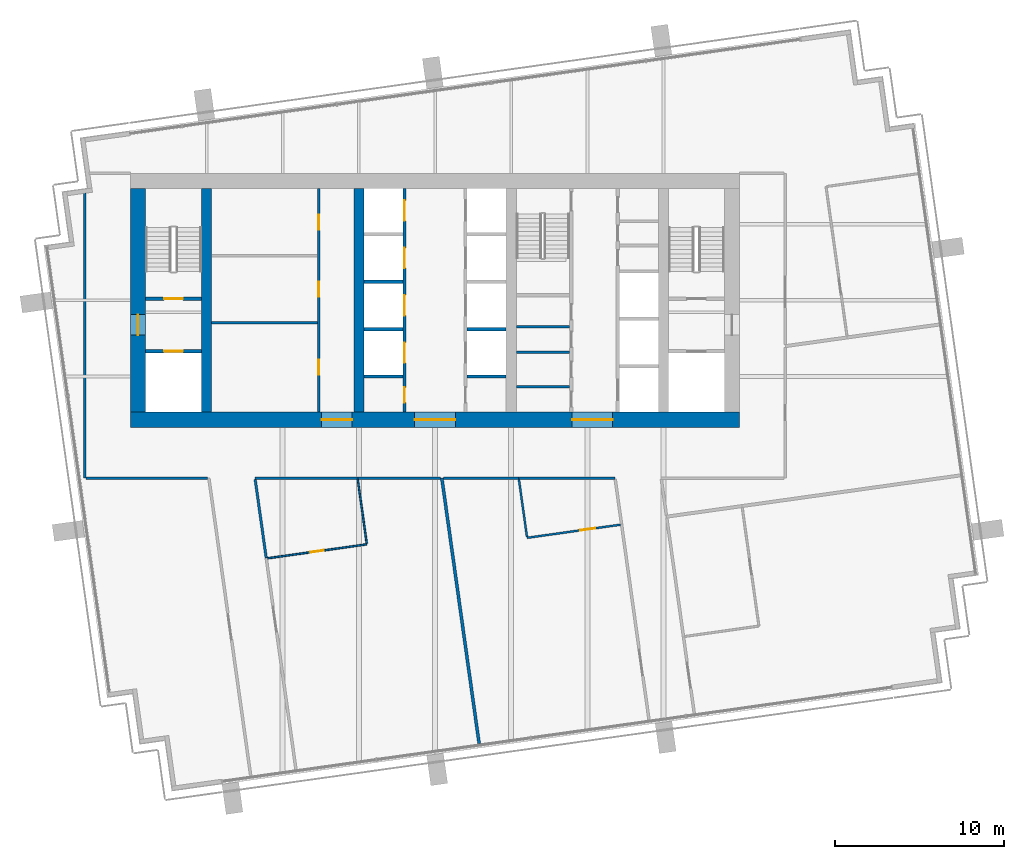
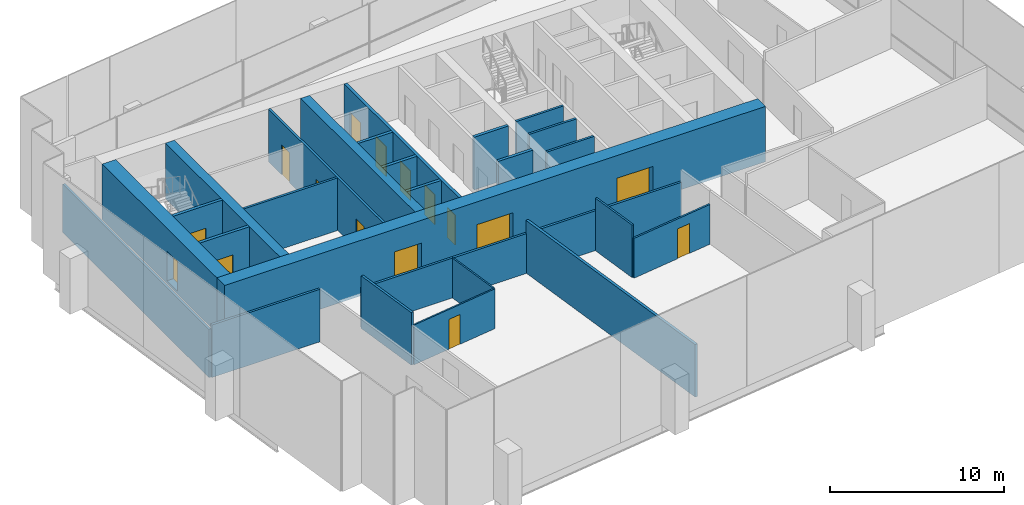
# One storey, part 9 of 17: 29 walls, 16 doors, 16 openings.
"""IFC4 building model written with IfcOpenShell, lengths in metres."""

from ifc_helpers import new_model, si_unit, direction, frame, frame_2d, origin, place, context, subcontext, project, spatial, rectangle, extrude, material, layer, layer_set, type_object, element, fill, save


model = new_model("IFC4")

# Units and contexts
model_context = context("Model", 3, precision=1e-05, world=origin(), true_north=direction((0.0, 1.0)))
body_context = subcontext(model_context, "Body", "Model", "MODEL_VIEW")
ifc_project = project(units=[si_unit("LENGTHUNIT", "METRE"), si_unit("AREAUNIT", "SQUARE_METRE"), si_unit("VOLUMEUNIT", "CUBIC_METRE"), si_unit("PLANEANGLEUNIT", "RADIAN"), si_unit("MASSUNIT", "GRAM", prefix="KILO")], contexts=[model_context])

# Site, building, storey
site_placement = place(None, origin())
site = spatial("IfcSite", under=ifc_project, at=site_placement, CompositionType="ELEMENT")
building_placement = place(site_placement, origin())
building = spatial("IfcBuilding", under=site, at=building_placement, Name="Rattan Terrace Tower", CompositionType="ELEMENT")
storey_placement = place(building_placement, frame((0.0, 0.0, 236.89990234375)))
storey = spatial("IfcBuildingStorey", under=building, at=storey_placement, Name="L54", CompositionType="ELEMENT", Elevation=236.89990234375)

# Wall, openings, doors
ifc_material_1 = material(Name="Gypsum board partition")
ifc_layer_1 = layer(ifc_material_1, 0.14990234375)
ifc_layer_set_1 = layer_set([ifc_layer_1], Name="Core partition 150")
wall_type_1 = type_object("IfcWallType", Name="Core partition 150", PredefinedType="PARTITIONING", material=ifc_layer_set_1)
wall_1_placement = place(storey_placement, frame((-6.875, -6.60009765625, 0.0), z_axis=(0.0, 0.0, 1.0), x_axis=(0.0, 1.0, 0.0)))
wall_1 = element("IfcWall", 1, at=wall_1_placement, inside=storey, type_object=wall_type_1, Name="Core room wall", PredefinedType="PARTITIONING", context=body_context, shape_type="SweptSolid", body=[
    extrude(rectangle(XDim=13.2001953125, YDim=0.14990234375, at=frame_2d((6.60009765625, 0.0))), origin(), (0.0, 0.0, 1.0), 3.7001953125),
])
opening_1_placement = place(wall_1_placement, frame((2.18994140625, 0.0, 0.0)))
opening_1 = element("IfcOpeningElement", 2, at=opening_1_placement, cuts=wall_1, Name="Opening L54-D005", PredefinedType="OPENING", context=body_context, shape_type="SweptSolid", body=[
    extrude(rectangle(XDim=0.89990234375, YDim=2.10009765625, at=frame_2d((0.449951171875, 1.050048828125))), frame((0.0, 0.08544921875, 0.0), z_axis=(0.0, -1.0, 0.0), x_axis=(1.0, 0.0, 0.0)), (0.0, 0.0, 1.0), 0.1708984375),
])
opening_2_placement = place(wall_1_placement, frame((6.81005859375, 0.0, 0.0)))
opening_2 = element("IfcOpeningElement", 3, at=opening_2_placement, cuts=wall_1, Name="Opening L54-D006", PredefinedType="OPENING", context=body_context, shape_type="SweptSolid", body=[
    extrude(rectangle(XDim=0.89990234375, YDim=2.10009765625, at=frame_2d((0.449951171875, 1.050048828125))), frame((0.0, 0.08544921875, 0.0), z_axis=(0.0, -1.0, 0.0), x_axis=(1.0, 0.0, 0.0)), (0.0, 0.0, 1.0), 0.1708984375),
])
opening_3_placement = place(wall_1_placement, frame((10.77001953125, 0.0, 0.0)))
opening_3 = element("IfcOpeningElement", 4, at=opening_3_placement, cuts=wall_1, Name="Opening L54-D007", PredefinedType="OPENING", context=body_context, shape_type="SweptSolid", body=[
    extrude(rectangle(XDim=0.89990234375, YDim=2.10009765625, at=frame_2d((0.449951171875, 1.050048828125))), frame((0.0, 0.08544921875, 0.0), z_axis=(0.0, -1.0, 0.0), x_axis=(1.0, 0.0, 0.0)), (0.0, 0.0, 1.0), 0.1708984375),
])
ifc_material_2 = material(Name="Hollow-metal fire door leaf")
door_type_1 = type_object("IfcDoorType", Name="Core service room door 900", OperationType="NOTDEFINED", PredefinedType="DOOR", material=ifc_material_2)
door_1_placement = place(opening_1_placement, origin())
door_1 = element("IfcDoor", 5, at=door_1_placement, inside=storey, type_object=door_type_1, Name="Door L54-D005", OperationType="SINGLE_SWING_RIGHT", OverallHeight=2.10009765625, OverallWidth=0.89990234375, PredefinedType="DOOR", context=body_context, shape_type="SweptSolid", body=[
    extrude(rectangle(XDim=0.89990234375, YDim=2.10009765625, at=frame_2d((0.449951171875, 1.050048828125))), frame((0.0, 0.02490234375, 0.0), z_axis=(0.0, -1.0, 0.0), x_axis=(1.0, 0.0, 0.0)), (0.0, 0.0, 1.0), 0.050048828125),
])
fill(opening_1, door_1)
door_2_placement = place(opening_2_placement, origin())
door_2 = element("IfcDoor", 6, at=door_2_placement, inside=storey, type_object=door_type_1, Name="Door L54-D006", OperationType="SINGLE_SWING_LEFT", OverallHeight=2.10009765625, OverallWidth=0.89990234375, PredefinedType="DOOR", context=body_context, shape_type="SweptSolid", body=[
    extrude(rectangle(XDim=0.89990234375, YDim=2.10009765625, at=frame_2d((0.449951171875, 1.050048828125))), frame((0.0, 0.02490234375, 0.0), z_axis=(0.0, -1.0, 0.0), x_axis=(1.0, 0.0, 0.0)), (0.0, 0.0, 1.0), 0.050048828125),
])
fill(opening_2, door_2)
door_3_placement = place(opening_3_placement, origin())
door_3 = element("IfcDoor", 7, at=door_3_placement, inside=storey, type_object=door_type_1, Name="Door L54-D007", OperationType="SINGLE_SWING_RIGHT", OverallHeight=2.10009765625, OverallWidth=0.89990234375, PredefinedType="DOOR", context=body_context, shape_type="SweptSolid", body=[
    extrude(rectangle(XDim=0.89990234375, YDim=2.10009765625, at=frame_2d((0.449951171875, 1.050048828125))), frame((0.0, 0.02490234375, 0.0), z_axis=(0.0, -1.0, 0.0), x_axis=(1.0, 0.0, 0.0)), (0.0, 0.0, 1.0), 0.050048828125),
])
fill(opening_3, door_3)

# Walls
wall_2_placement = place(storey_placement, frame((-13.199951171875, -1.320068359375, 0.0), z_axis=(0.0, 0.0, 1.0), x_axis=(1.0, 0.0, 0.0)))
element("IfcWall", 8, at=wall_2_placement, inside=storey, type_object=wall_type_1, Name="Core room wall", PredefinedType="PARTITIONING", context=body_context, shape_type="SweptSolid", body=[
    extrude(rectangle(XDim=6.25, YDim=0.14990234375, at=frame_2d((3.125, 0.0))), origin(), (0.0, 0.0, 1.0), 3.7001953125),
])
for number, where, z_axis, x_axis, name in (
    (9, (4.800048828125, -5.10400390625, 0.0), (0.0, 0.0, 1.0), (1.0, 0.0, 0.0), "Toilet wall"),
    (10, (4.800048828125, -3.06396484375, 0.0), (0.0, 0.0, 1.0), (1.0, 0.0, 0.0), "Toilet wall"),
    (11, (4.800048828125, -1.568115234375, 0.0), (0.0, 0.0, 1.0), (1.0, 0.0, 0.0), "Toilet wall"),
):
    element("IfcWall", number, at=place(storey_placement, frame(where, z_axis=z_axis, x_axis=x_axis)), inside=storey, type_object=wall_type_1, Name=name, PredefinedType="PARTITIONING", context=body_context, shape_type="SweptSolid", body=[
        extrude(rectangle(XDim=3.14990234375, YDim=0.14990234375, at=frame_2d((1.574951171875, 0.0))), origin(), (0.0, 0.0, 1.0), 3.7001953125),
    ])

# Wall, opening, door
ifc_material_3 = material(Name="Gypsum board partition")
ifc_layer_2 = layer(ifc_material_3, 0.199951171875)
ifc_layer_set_2 = layer_set([ifc_layer_2], Name="Core partition 200")
wall_type_2 = type_object("IfcWallType", Name="Core partition 200", PredefinedType="PARTITIONING", material=ifc_layer_set_2)
wall_3_placement = place(storey_placement, frame((-17.10009765625, -3.0, 0.0), z_axis=(0.0, 0.0, 1.0), x_axis=(1.0, 0.0, 0.0)))
wall_3 = element("IfcWall", 12, at=wall_3_placement, inside=storey, type_object=wall_type_2, Name="Fire-fighting lobby wall", PredefinedType="PARTITIONING", context=body_context, shape_type="SweptSolid", body=[
    extrude(rectangle(XDim=3.300048828125, YDim=0.199951171875, at=frame_2d((1.64990234375, 0.0))), origin(), (0.0, 0.0, 1.0), 3.7001953125),
])
opening_4_placement = place(wall_3_placement, frame((1.10009765625, 0.0, 0.0)))
opening_4 = element("IfcOpeningElement", 13, at=opening_4_placement, cuts=wall_3, Name="Opening L54-LD-FF1", PredefinedType="OPENING", context=body_context, shape_type="SweptSolid", body=[
    extrude(rectangle(XDim=1.10009765625, YDim=2.10009765625, at=frame_2d((0.550048828125, 1.050048828125))), frame((0.0, 0.110595703125, 0.0), z_axis=(0.0, -1.0, 0.0), x_axis=(1.0, 0.0, 0.0)), (0.0, 0.0, 1.0), 0.220947265625),
])
ifc_material_4 = material(Name="Brushed stainless landing door panel")
door_type_2 = type_object("IfcDoorType", Name="Core lift landing door 1100", OperationType="DOUBLE_DOOR_SLIDING", PredefinedType="DOOR", material=ifc_material_4)
door_4_placement = place(opening_4_placement, origin())
door_4 = element("IfcDoor", 14, at=door_4_placement, inside=storey, type_object=door_type_2, Name="Door L54-LD-FF1", OperationType="DOUBLE_DOOR_SLIDING", OverallHeight=2.10009765625, OverallWidth=1.10009765625, PredefinedType="DOOR", context=body_context, shape_type="SweptSolid", body=[
    extrude(rectangle(XDim=1.10009765625, YDim=2.10009765625, at=frame_2d((0.550048828125, 1.050048828125))), frame((0.0, 0.02490234375, 0.0), z_axis=(0.0, -1.0, 0.0), x_axis=(1.0, 0.0, 0.0)), (0.0, 0.0, 1.0), 0.050048828125),
])
fill(opening_4, door_4)

wall_4_placement = place(storey_placement, frame((-17.10009765625, 0.10009765625, 0.0), z_axis=(0.0, 0.0, 1.0), x_axis=(1.0, 0.0, 0.0)))
wall_4 = element("IfcWall", 15, at=wall_4_placement, inside=storey, type_object=wall_type_2, Name="Stair enclosure wall", PredefinedType="PARTITIONING", context=body_context, shape_type="SweptSolid", body=[
    extrude(rectangle(XDim=3.300048828125, YDim=0.199951171875, at=frame_2d((1.64990234375, 0.0))), origin(), (0.0, 0.0, 1.0), 3.7001953125),
])
opening_5_placement = place(wall_4_placement, frame((1.10009765625, 0.0, 0.0)))
opening_5 = element("IfcOpeningElement", 16, at=opening_5_placement, cuts=wall_4, Name="Opening L54-D002", PredefinedType="OPENING", context=body_context, shape_type="SweptSolid", body=[
    extrude(rectangle(XDim=1.10009765625, YDim=2.10009765625, at=frame_2d((0.550048828125, 1.050048828125))), frame((0.0, 0.110595703125, 0.0), z_axis=(0.0, -1.0, 0.0), x_axis=(1.0, 0.0, 0.0)), (0.0, 0.0, 1.0), 0.220947265625),
])
ifc_material_5 = material(Name="Hollow-metal fire door leaf")
door_type_3 = type_object("IfcDoorType", Name="Core stair door 1100", OperationType="NOTDEFINED", PredefinedType="DOOR", material=ifc_material_5)
door_5_placement = place(opening_5_placement, origin())
door_5 = element("IfcDoor", 17, at=door_5_placement, inside=storey, type_object=door_type_3, Name="Door L54-D002", OperationType="SINGLE_SWING_LEFT", OverallHeight=2.10009765625, OverallWidth=1.10009765625, PredefinedType="DOOR", context=body_context, shape_type="SweptSolid", body=[
    extrude(rectangle(XDim=1.10009765625, YDim=2.10009765625, at=frame_2d((0.550048828125, 1.050048828125))), frame((0.0, 0.02490234375, 0.0), z_axis=(0.0, -1.0, 0.0), x_axis=(1.0, 0.0, 0.0)), (0.0, 0.0, 1.0), 0.050048828125),
])
fill(opening_5, door_5)

# Wall, openings, doors
ifc_material_6 = material(Name="Concrete C50/60", Category="concrete")
ifc_layer_3 = layer(ifc_material_6, 0.89990234375)
ifc_layer_set_3 = layer_set([ifc_layer_3], Name="Core ring wall 900 C50/60")
wall_type_3 = type_object("IfcWallType", Name="Core ring wall 900 C50/60", PredefinedType="SHEAR", material=ifc_layer_set_3)
wall_5_placement = place(storey_placement, frame((-18.0, -7.050048828125, -0.199951171875), z_axis=(0.0, 0.0, 1.0), x_axis=(1.0, 0.0, 0.0)))
wall_5 = element("IfcWall", 18, at=wall_5_placement, inside=storey, type_object=wall_type_3, Name="Rear core wall south", PredefinedType="SHEAR", context=body_context, shape_type="SweptSolid", body=[
    extrude(rectangle(XDim=36.0, YDim=0.89990234375, at=frame_2d((18.0, 0.0))), origin(), (0.0, 0.0, 1.0), 3.900146484375),
])
opening_6_placement = place(wall_5_placement, frame((11.300048828125, 0.0, 0.199951171875)))
opening_6 = element("IfcOpeningElement", 19, at=opening_6_placement, cuts=wall_5, Name="Opening L54-D008", PredefinedType="OPENING", context=body_context, shape_type="SweptSolid", body=[
    extrude(rectangle(XDim=1.800048828125, YDim=2.10009765625, at=frame_2d((0.89990234375, 1.050048828125))), frame((0.0, 0.46044921875, 0.0), z_axis=(0.0, -1.0, 0.0), x_axis=(1.0, 0.0, 0.0)), (0.0, 0.0, 1.0), 0.9208984375),
])
opening_7_placement = place(wall_5_placement, frame((16.800048828125, 0.0, 0.199951171875)))
opening_7 = element("IfcOpeningElement", 20, at=opening_7_placement, cuts=wall_5, Name="Opening L54-D011", PredefinedType="OPENING", context=body_context, shape_type="SweptSolid", body=[
    extrude(rectangle(XDim=2.39990234375, YDim=2.10009765625, at=frame_2d((1.199951171875, 1.050048828125))), frame((0.0, 0.46044921875, 0.0), z_axis=(0.0, -1.0, 0.0), x_axis=(1.0, 0.0, 0.0)), (0.0, 0.0, 1.0), 0.9208984375),
])
opening_8_placement = place(wall_5_placement, frame((26.10009765625, 0.0, 0.199951171875)))
opening_8 = element("IfcOpeningElement", 21, at=opening_8_placement, cuts=wall_5, Name="Opening L54-D017", PredefinedType="OPENING", context=body_context, shape_type="SweptSolid", body=[
    extrude(rectangle(XDim=2.39990234375, YDim=2.10009765625, at=frame_2d((1.199951171875, 1.050048828125))), frame((0.0, 0.46044921875, 0.0), z_axis=(0.0, -1.0, 0.0), x_axis=(1.0, 0.0, 0.0)), (0.0, 0.0, 1.0), 0.9208984375),
])
ifc_material_7 = material(Name="Hollow-metal fire door leaf")
door_type_4 = type_object("IfcDoorType", Name="Core lift lobby door 2400", OperationType="NOTDEFINED", PredefinedType="DOOR", material=ifc_material_7)
door_6_placement = place(opening_7_placement, origin())
door_6 = element("IfcDoor", 22, at=door_6_placement, inside=storey, type_object=door_type_4, Name="Door L54-D011", OperationType="DOUBLE_DOOR_DOUBLE_SWING", OverallHeight=2.10009765625, OverallWidth=2.39990234375, PredefinedType="DOOR", context=body_context, shape_type="SweptSolid", body=[
    extrude(rectangle(XDim=2.39990234375, YDim=2.10009765625, at=frame_2d((1.199951171875, 1.050048828125))), frame((0.0, 0.02490234375, 0.0), z_axis=(0.0, -1.0, 0.0), x_axis=(1.0, 0.0, 0.0)), (0.0, 0.0, 1.0), 0.050048828125),
])
fill(opening_7, door_6)
door_7_placement = place(opening_8_placement, origin())
door_7 = element("IfcDoor", 23, at=door_7_placement, inside=storey, type_object=door_type_4, Name="Door L54-D017", OperationType="DOUBLE_DOOR_DOUBLE_SWING", OverallHeight=2.10009765625, OverallWidth=2.39990234375, PredefinedType="DOOR", context=body_context, shape_type="SweptSolid", body=[
    extrude(rectangle(XDim=2.39990234375, YDim=2.10009765625, at=frame_2d((1.199951171875, 1.050048828125))), frame((0.0, 0.02490234375, 0.0), z_axis=(0.0, -1.0, 0.0), x_axis=(1.0, 0.0, 0.0)), (0.0, 0.0, 1.0), 0.050048828125),
])
fill(opening_8, door_7)
ifc_material_8 = material(Name="Hollow-metal fire door leaf")
door_type_5 = type_object("IfcDoorType", Name="Core service room door 1800", OperationType="NOTDEFINED", PredefinedType="DOOR", material=ifc_material_8)
door_8_placement = place(opening_6_placement, origin())
door_8 = element("IfcDoor", 24, at=door_8_placement, inside=storey, type_object=door_type_5, Name="Door L54-D008", OperationType="SINGLE_SWING_LEFT", OverallHeight=2.10009765625, OverallWidth=1.800048828125, PredefinedType="DOOR", context=body_context, shape_type="SweptSolid", body=[
    extrude(rectangle(XDim=1.800048828125, YDim=2.10009765625, at=frame_2d((0.89990234375, 1.050048828125))), frame((0.0, 0.02490234375, 0.0), z_axis=(0.0, -1.0, 0.0), x_axis=(1.0, 0.0, 0.0)), (0.0, 0.0, 1.0), 0.050048828125),
])
fill(opening_6, door_8)

# Wall, opening, door
wall_6_placement = place(storey_placement, frame((-17.550048828125, -6.60009765625, -0.199951171875), z_axis=(0.0, 0.0, 1.0), x_axis=(0.0, 1.0, 0.0)))
wall_6 = element("IfcWall", 25, at=wall_6_placement, inside=storey, type_object=wall_type_3, Name="Rear core wall west", PredefinedType="SHEAR", context=body_context, shape_type="SweptSolid", body=[
    extrude(rectangle(XDim=13.2001953125, YDim=0.89990234375, at=frame_2d((6.60009765625, 0.0))), origin(), (0.0, 0.0, 1.0), 3.900146484375),
])
opening_9_placement = place(wall_6_placement, frame((4.550048828125, 0.0, 0.199951171875)))
opening_9 = element("IfcOpeningElement", 26, at=opening_9_placement, cuts=wall_6, Name="Opening L54-D001", PredefinedType="OPENING", context=body_context, shape_type="SweptSolid", body=[
    extrude(rectangle(XDim=1.199951171875, YDim=2.10009765625, at=frame_2d((0.60009765625, 1.050048828125))), frame((0.0, 0.46044921875, 0.0), z_axis=(0.0, -1.0, 0.0), x_axis=(1.0, 0.0, 0.0)), (0.0, 0.0, 1.0), 0.9208984375),
])
ifc_material_9 = material(Name="Hollow-metal fire door leaf")
door_type_6 = type_object("IfcDoorType", Name="Core fire-fighting lobby door 1200", OperationType="NOTDEFINED", PredefinedType="DOOR", material=ifc_material_9)
door_9_placement = place(opening_9_placement, origin())
door_9 = element("IfcDoor", 27, at=door_9_placement, inside=storey, type_object=door_type_6, Name="Door L54-D001", OperationType="SINGLE_SWING_RIGHT", OverallHeight=2.10009765625, OverallWidth=1.199951171875, PredefinedType="DOOR", context=body_context, shape_type="SweptSolid", body=[
    extrude(rectangle(XDim=1.199951171875, YDim=2.10009765625, at=frame_2d((0.60009765625, 1.050048828125))), frame((0.0, 0.02490234375, 0.0), z_axis=(0.0, -1.0, 0.0), x_axis=(1.0, 0.0, 0.0)), (0.0, 0.0, 1.0), 0.050048828125),
])
fill(opening_9, door_9)

# Walls
ifc_material_10 = material(Name="Concrete C50/60", Category="concrete")
ifc_layer_4 = layer(ifc_material_10, 0.60009765625)
ifc_layer_set_4 = layer_set([ifc_layer_4], Name="Core spine wall 600 C50/60")
wall_type_4 = type_object("IfcWallType", Name="Core spine wall 600 C50/60", PredefinedType="SHEAR", material=ifc_layer_set_4)
for number, where, z_axis, x_axis, name in (
    (28, (-13.5, -6.60009765625, -0.199951171875), (0.0, 0.0, 1.0), (0.0, 1.0, 0.0), "Core spine wall 1"),
    (29, (-4.5, -6.60009765625, -0.199951171875), (0.0, 0.0, 1.0), (0.0, 1.0, 0.0), "Core spine wall 2"),
):
    element("IfcWall", number, at=place(storey_placement, frame(where, z_axis=z_axis, x_axis=x_axis)), inside=storey, type_object=wall_type_4, Name=name, PredefinedType="SHEAR", context=body_context, shape_type="SweptSolid", body=[
        extrude(rectangle(XDim=13.2001953125, YDim=0.60009765625, at=frame_2d((6.60009765625, 0.0))), origin(), (0.0, 0.0, 1.0), 3.900146484375),
    ])
ifc_material_11 = material(Name="Double steel stud acoustic partition, gypsum board, mineral wool, fire rated", Category="steel")
ifc_layer_5 = layer(ifc_material_11, 0.179931640625)
ifc_layer_set_5 = layer_set([ifc_layer_5], Name="Floors Acoustic Party Wall 180")
wall_type_5 = type_object("IfcWallType", Name="Floors Acoustic Party Wall 180", PredefinedType="PARTITIONING", material=ifc_layer_set_5)
wall_7_placement = place(storey_placement, frame((0.402099609375, -10.5, 0.0), z_axis=(0.0, 0.0, 1.0), x_axis=(0.139104966254, -0.99027764206, 0.0)))
element("IfcWall", 30, at=wall_7_placement, inside=storey, type_object=wall_type_5, Name="pt-L54-030", PredefinedType="PARTITIONING", context=body_context, shape_type="SweptSolid", body=[
    extrude(rectangle(XDim=15.85009765625, YDim=0.179931640625, at=frame_2d((7.925048828125, 0.0))), origin(), (0.0, 0.0, 1.0), 3.7001953125),
])

# Wall, opening, door
ifc_material_12 = material(Name="Gypsum board partition on steel studs", Category="steel")
ifc_layer_6 = layer(ifc_material_12, 0.10009765625)
ifc_layer_set_6 = layer_set([ifc_layer_6], Name="Floors Partition 100")
wall_type_6 = type_object("IfcWallType", Name="Floors Partition 100", PredefinedType="PARTITIONING", material=ifc_layer_set_6)
wall_8_placement = place(storey_placement, frame((-9.89404296875, -15.242919921875, 0.0), z_axis=(0.0, 0.0, 1.0), x_axis=(0.990258620858, 0.139240309595, 0.0)))
wall_8 = element("IfcWall", 31, at=wall_8_placement, inside=storey, type_object=wall_type_6, Name="pt-L54-028", PredefinedType="PARTITIONING", context=body_context, shape_type="SweptSolid", body=[
    extrude(rectangle(XDim=5.924560546875, YDim=0.10009765625, at=frame_2d((2.96240234375, 0.0))), origin(), (0.0, 0.0, 1.0), 2.800048828125),
])
opening_10_placement = place(wall_8_placement, frame((2.56201171875, 0.0, 0.0)))
opening_10 = element("IfcOpeningElement", 32, at=opening_10_placement, cuts=wall_8, Name="Opening L54-D107", PredefinedType="OPENING", context=body_context, shape_type="SweptSolid", body=[
    extrude(rectangle(XDim=0.800048828125, YDim=2.10009765625, at=frame_2d((0.39990234375, 1.050048828125))), frame((0.0, 0.060546875, 0.0), z_axis=(0.0, -1.0, 0.0), x_axis=(1.0, 0.0, 0.0)), (0.0, 0.0, 1.0), 0.12109375),
])
ifc_material_13 = material(Name="Solid core timber door, painted", Category="wood")
door_type_7 = type_object("IfcDoorType", Name="Floors Store Door 800x2100", OperationType="NOTDEFINED", PredefinedType="DOOR", material=ifc_material_13)
door_10_placement = place(opening_10_placement, origin())
door_10 = element("IfcDoor", 33, at=door_10_placement, inside=storey, type_object=door_type_7, Name="d-L54-107", OperationType="SINGLE_SWING_RIGHT", OverallHeight=2.10009765625, OverallWidth=0.800048828125, PredefinedType="DOOR", context=body_context, shape_type="SweptSolid", body=[
    extrude(rectangle(XDim=0.800048828125, YDim=2.10009765625, at=frame_2d((0.39990234375, 1.050048828125))), frame((0.0, 0.02490234375, 0.0), z_axis=(0.0, -1.0, 0.0), x_axis=(1.0, 0.0, 0.0)), (0.0, 0.0, 1.0), 0.050048828125),
])
fill(opening_10, door_10)

# Walls
wall_9_placement = place(storey_placement, frame((-4.033935546875, -14.367919921875, 0.0), z_axis=(0.0, 0.0, 1.0), x_axis=(-0.138899955752, 0.990306418384, 0.0)))
element("IfcWall", 34, at=wall_9_placement, inside=storey, type_object=wall_type_6, Name="pt-L54-029", PredefinedType="PARTITIONING", context=body_context, shape_type="SweptSolid", body=[
    extrude(rectangle(XDim=3.8369140625, YDim=0.10009765625, at=frame_2d((1.91845703125, 0.0))), origin(), (0.0, 0.0, 1.0), 2.800048828125),
])
ifc_material_14 = material(Name="Gypsum board partition on steel studs, fire rated", Category="steel")
ifc_layer_7 = layer(ifc_material_14, 0.14990234375)
ifc_layer_set_7 = layer_set([ifc_layer_7], Name="Floors Tenancy Wall 150")
wall_type_7 = type_object("IfcWallType", Name="Floors Tenancy Wall 150", PredefinedType="PARTITIONING", material=ifc_layer_set_7)
wall_10_placement = place(storey_placement, frame((-20.699951171875, -10.5, 0.0), z_axis=(0.0, 0.0, 1.0), x_axis=(0.0, 1.0, 0.0)))
element("IfcWall", 35, at=wall_10_placement, inside=storey, type_object=wall_type_7, Name="pt-L54-001", PredefinedType="PARTITIONING", context=body_context, shape_type="SweptSolid", body=[
    extrude(rectangle(XDim=16.85595703125, YDim=0.14990234375, at=frame_2d((8.427978515625, 0.0))), origin(), (0.0, 0.0, 1.0), 3.400146484375),
])
wall_11_placement = place(storey_placement, frame((-13.43701171875, -10.5, 0.0), z_axis=(0.0, 0.0, 1.0), x_axis=(-1.0, 0.0, 0.0)))
element("IfcWall", 36, at=wall_11_placement, inside=storey, type_object=wall_type_7, Name="pt-L54-002", PredefinedType="PARTITIONING", context=body_context, shape_type="SweptSolid", body=[
    extrude(rectangle(XDim=7.18798828125, YDim=0.14990234375, at=frame_2d((3.593994140625, 0.0))), origin(), (0.0, 0.0, 1.0), 3.7001953125),
])
wall_12_placement = place(storey_placement, frame((0.31298828125, -10.5, 0.0), z_axis=(0.0, 0.0, 1.0), x_axis=(-1.0, 0.0, 0.0)))
element("IfcWall", 37, at=wall_12_placement, inside=storey, type_object=wall_type_7, Name="pt-L54-013", PredefinedType="PARTITIONING", context=body_context, shape_type="SweptSolid", body=[
    extrude(rectangle(XDim=4.869873046875, YDim=0.14990234375, at=frame_2d((2.43505859375, 0.0))), origin(), (0.0, 0.0, 1.0), 2.800048828125),
])
wall_13_placement = place(storey_placement, frame((-10.625, -10.5849609375, 0.0), z_axis=(0.0, 0.0, 1.0), x_axis=(0.139112996275, -0.990276514044, 0.0)))
element("IfcWall", 38, at=wall_13_placement, inside=storey, type_object=wall_type_7, Name="pt-L54-014", PredefinedType="PARTITIONING", context=body_context, shape_type="SweptSolid", body=[
    extrude(rectangle(XDim=4.694580078125, YDim=0.14990234375, at=frame_2d((2.34716796875, 0.0))), origin(), (0.0, 0.0, 1.0), 3.7001953125),
])
wall_14_placement = place(storey_placement, frame((-4.556884765625, -10.5, 0.0), z_axis=(0.0, 0.0, 1.0), x_axis=(-1.0, 0.0, 0.0)))
element("IfcWall", 39, at=wall_14_placement, inside=storey, type_object=wall_type_7, Name="pt-L54-015", PredefinedType="PARTITIONING", context=body_context, shape_type="SweptSolid", body=[
    extrude(rectangle(XDim=6.080078125, YDim=0.14990234375, at=frame_2d((3.0400390625, 0.0))), origin(), (0.0, 0.0, 1.0), 2.800048828125),
])
wall_15_placement = place(storey_placement, frame((4.926025390625, -10.5, 0.0), z_axis=(0.0, 0.0, 1.0), x_axis=(-1.0, 0.0, 0.0)))
element("IfcWall", 40, at=wall_15_placement, inside=storey, type_object=wall_type_7, Name="pt-L54-016", PredefinedType="PARTITIONING", context=body_context, shape_type="SweptSolid", body=[
    extrude(rectangle(XDim=4.423095703125, YDim=0.14990234375, at=frame_2d((2.21142578125, 0.0))), origin(), (0.0, 0.0, 1.0), 2.800048828125),
])
wall_16_placement = place(storey_placement, frame((10.636962890625, -10.5, 0.0), z_axis=(0.0, 0.0, 1.0), x_axis=(-1.0, 0.0, 0.0)))
element("IfcWall", 41, at=wall_16_placement, inside=storey, type_object=wall_type_7, Name="pt-L54-018", PredefinedType="PARTITIONING", context=body_context, shape_type="SweptSolid", body=[
    extrude(rectangle(XDim=5.7109375, YDim=0.14990234375, at=frame_2d((2.85546875, 0.0))), origin(), (0.0, 0.0, 1.0), 2.800048828125),
])
ifc_material_15 = material(Name="Moisture resistant gypsum board partition on steel studs with service cavity", Category="steel")
ifc_layer_8 = layer(ifc_material_15, 0.1201171875)
ifc_layer_set_8 = layer_set([ifc_layer_8], Name="Floors Wet Wall 120")
wall_type_8 = type_object("IfcWallType", Name="Floors Wet Wall 120", PredefinedType="PARTITIONING", material=ifc_layer_set_8)
wall_17_placement = place(storey_placement, frame((4.955078125, -10.56689453125, 0.0), z_axis=(0.0, 0.0, 1.0), x_axis=(0.138937352788, -0.990301172372, 0.0)))
element("IfcWall", 42, at=wall_17_placement, inside=storey, type_object=wall_type_8, Name="pt-L54-031", PredefinedType="PARTITIONING", context=body_context, shape_type="SweptSolid", body=[
    extrude(rectangle(XDim=3.440673828125, YDim=0.1201171875, at=frame_2d((1.72021484375, 0.0))), origin(), (0.0, 0.0, 1.0), 3.7001953125),
])

# Wall, opening, door
wall_18_placement = place(storey_placement, frame((5.44189453125, -14.032958984375, 0.0), z_axis=(0.0, 0.0, 1.0), x_axis=(0.990269155404, 0.139165368738, 0.0)))
wall_18 = element("IfcWall", 43, at=wall_18_placement, inside=storey, type_object=wall_type_8, Name="pt-L54-032", PredefinedType="PARTITIONING", context=body_context, shape_type="SweptSolid", body=[
    extrude(rectangle(XDim=5.561279296875, YDim=0.1201171875, at=frame_2d((2.78076171875, 0.0))), origin(), (0.0, 0.0, 1.0), 2.800048828125),
])
opening_11_placement = place(wall_18_placement, frame((3.1630859375, 0.0, 0.0)))
opening_11 = element("IfcOpeningElement", 44, at=opening_11_placement, cuts=wall_18, Name="Opening L54-D109", PredefinedType="OPENING", context=body_context, shape_type="SweptSolid", body=[
    extrude(rectangle(XDim=0.89990234375, YDim=2.10009765625, at=frame_2d((0.449951171875, 1.050048828125))), frame((0.0, 0.070556640625, 0.0), z_axis=(0.0, -1.0, 0.0), x_axis=(1.0, 0.0, 0.0)), (0.0, 0.0, 1.0), 0.14111328125),
])
ifc_material_16 = material(Name="Solid core timber door, painted", Category="wood")
door_type_8 = type_object("IfcDoorType", Name="Floors Door 900x2100", OperationType="NOTDEFINED", PredefinedType="DOOR", material=ifc_material_16)
door_11_placement = place(opening_11_placement, origin())
door_11 = element("IfcDoor", 45, at=door_11_placement, inside=storey, type_object=door_type_8, Name="d-L54-109", OperationType="SINGLE_SWING_RIGHT", OverallHeight=2.10009765625, OverallWidth=0.89990234375, PredefinedType="DOOR", context=body_context, shape_type="SweptSolid", body=[
    extrude(rectangle(XDim=0.89990234375, YDim=2.10009765625, at=frame_2d((0.449951171875, 1.050048828125))), frame((0.0, 0.02490234375, 0.0), z_axis=(0.0, -1.0, 0.0), x_axis=(1.0, 0.0, 0.0)), (0.0, 0.0, 1.0), 0.050048828125),
])
fill(opening_11, door_11)

# Wall, openings, doors
ifc_material_17 = material(Name="Gypsum shaft wall system")
ifc_layer_9 = layer(ifc_material_17, 0.199951171875)
ifc_layer_set_9 = layer_set([ifc_layer_9], Name="Lift shaft wall 200")
wall_type_9 = type_object("IfcWallType", Name="Lift shaft wall 200", PredefinedType="PARTITIONING", material=ifc_layer_set_9)
wall_19_placement = place(storey_placement, frame((-1.800048828125, -6.60009765625, 0.0), z_axis=(0.0, 0.0, 1.0), x_axis=(0.0, 1.0, 0.0)))
wall_19 = element("IfcWall", 46, at=wall_19_placement, inside=storey, type_object=wall_type_9, Name="Lift shaft front wall", PredefinedType="PARTITIONING", context=body_context, shape_type="SweptSolid", body=[
    extrude(rectangle(XDim=13.2001953125, YDim=0.199951171875, at=frame_2d((6.60009765625, 0.0))), origin(), (0.0, 0.0, 1.0), 3.7001953125),
])
opening_12_placement = place(wall_19_placement, frame((0.550048828125, 0.0, 0.0)))
opening_12 = element("IfcOpeningElement", 47, at=opening_12_placement, cuts=wall_19, Name="Opening L54-D009", PredefinedType="OPENING", context=body_context, shape_type="SweptSolid", body=[
    extrude(rectangle(XDim=0.89990234375, YDim=2.10009765625, at=frame_2d((0.449951171875, 1.050048828125))), frame((0.0, 0.110595703125, 0.0), z_axis=(0.0, -1.0, 0.0), x_axis=(1.0, 0.0, 0.0)), (0.0, 0.0, 1.0), 0.220947265625),
])
opening_13_placement = place(wall_19_placement, frame((2.89990234375, 0.0, 0.0)))
opening_13 = element("IfcOpeningElement", 48, at=opening_13_placement, cuts=wall_19, Name="Opening L54-LD-HR1", PredefinedType="OPENING", context=body_context, shape_type="SweptSolid", body=[
    extrude(rectangle(XDim=1.199951171875, YDim=2.10009765625, at=frame_2d((0.60009765625, 1.050048828125))), frame((0.0, 0.110595703125, 0.0), z_axis=(0.0, -1.0, 0.0), x_axis=(1.0, 0.0, 0.0)), (0.0, 0.0, 1.0), 0.220947265625),
])
opening_14_placement = place(wall_19_placement, frame((5.699951171875, 0.0, 0.0)))
opening_14 = element("IfcOpeningElement", 49, at=opening_14_placement, cuts=wall_19, Name="Opening L54-LD-HR2", PredefinedType="OPENING", context=body_context, shape_type="SweptSolid", body=[
    extrude(rectangle(XDim=1.199951171875, YDim=2.10009765625, at=frame_2d((0.60009765625, 1.050048828125))), frame((0.0, 0.110595703125, 0.0), z_axis=(0.0, -1.0, 0.0), x_axis=(1.0, 0.0, 0.0)), (0.0, 0.0, 1.0), 0.220947265625),
])
opening_15_placement = place(wall_19_placement, frame((8.5, 0.0, 0.0)))
opening_15 = element("IfcOpeningElement", 50, at=opening_15_placement, cuts=wall_19, Name="Opening L54-LD-HR3", PredefinedType="OPENING", context=body_context, shape_type="SweptSolid", body=[
    extrude(rectangle(XDim=1.199951171875, YDim=2.10009765625, at=frame_2d((0.60009765625, 1.050048828125))), frame((0.0, 0.110595703125, 0.0), z_axis=(0.0, -1.0, 0.0), x_axis=(1.0, 0.0, 0.0)), (0.0, 0.0, 1.0), 0.220947265625),
])
opening_16_placement = place(wall_19_placement, frame((11.300048828125, 0.0, 0.0)))
opening_16 = element("IfcOpeningElement", 51, at=opening_16_placement, cuts=wall_19, Name="Opening L54-LD-HR4", PredefinedType="OPENING", context=body_context, shape_type="SweptSolid", body=[
    extrude(rectangle(XDim=1.199951171875, YDim=2.10009765625, at=frame_2d((0.60009765625, 1.050048828125))), frame((0.0, 0.110595703125, 0.0), z_axis=(0.0, -1.0, 0.0), x_axis=(1.0, 0.0, 0.0)), (0.0, 0.0, 1.0), 0.220947265625),
])
ifc_material_18 = material(Name="Brushed stainless landing door panel")
door_type_9 = type_object("IfcDoorType", Name="Core lift landing door 1200", OperationType="DOUBLE_DOOR_SLIDING", PredefinedType="DOOR", material=ifc_material_18)
door_12_placement = place(opening_13_placement, origin())
door_12 = element("IfcDoor", 52, at=door_12_placement, inside=storey, type_object=door_type_9, Name="Door L54-LD-HR1", OperationType="DOUBLE_DOOR_SLIDING", OverallHeight=2.10009765625, OverallWidth=1.199951171875, PredefinedType="DOOR", context=body_context, shape_type="SweptSolid", body=[
    extrude(rectangle(XDim=1.199951171875, YDim=2.10009765625, at=frame_2d((0.60009765625, 1.050048828125))), frame((0.0, 0.02490234375, 0.0), z_axis=(0.0, -1.0, 0.0), x_axis=(1.0, 0.0, 0.0)), (0.0, 0.0, 1.0), 0.050048828125),
])
fill(opening_13, door_12)
door_13_placement = place(opening_14_placement, origin())
door_13 = element("IfcDoor", 53, at=door_13_placement, inside=storey, type_object=door_type_9, Name="Door L54-LD-HR2", OperationType="DOUBLE_DOOR_SLIDING", OverallHeight=2.10009765625, OverallWidth=1.199951171875, PredefinedType="DOOR", context=body_context, shape_type="SweptSolid", body=[
    extrude(rectangle(XDim=1.199951171875, YDim=2.10009765625, at=frame_2d((0.60009765625, 1.050048828125))), frame((0.0, 0.02490234375, 0.0), z_axis=(0.0, -1.0, 0.0), x_axis=(1.0, 0.0, 0.0)), (0.0, 0.0, 1.0), 0.050048828125),
])
fill(opening_14, door_13)
door_14_placement = place(opening_15_placement, origin())
door_14 = element("IfcDoor", 54, at=door_14_placement, inside=storey, type_object=door_type_9, Name="Door L54-LD-HR3", OperationType="DOUBLE_DOOR_SLIDING", OverallHeight=2.10009765625, OverallWidth=1.199951171875, PredefinedType="DOOR", context=body_context, shape_type="SweptSolid", body=[
    extrude(rectangle(XDim=1.199951171875, YDim=2.10009765625, at=frame_2d((0.60009765625, 1.050048828125))), frame((0.0, 0.02490234375, 0.0), z_axis=(0.0, -1.0, 0.0), x_axis=(1.0, 0.0, 0.0)), (0.0, 0.0, 1.0), 0.050048828125),
])
fill(opening_15, door_14)
door_15_placement = place(opening_16_placement, origin())
door_15 = element("IfcDoor", 55, at=door_15_placement, inside=storey, type_object=door_type_9, Name="Door L54-LD-HR4", OperationType="DOUBLE_DOOR_SLIDING", OverallHeight=2.10009765625, OverallWidth=1.199951171875, PredefinedType="DOOR", context=body_context, shape_type="SweptSolid", body=[
    extrude(rectangle(XDim=1.199951171875, YDim=2.10009765625, at=frame_2d((0.60009765625, 1.050048828125))), frame((0.0, 0.02490234375, 0.0), z_axis=(0.0, -1.0, 0.0), x_axis=(1.0, 0.0, 0.0)), (0.0, 0.0, 1.0), 0.050048828125),
])
fill(opening_16, door_15)
ifc_material_19 = material(Name="Hollow-metal fire door leaf")
door_type_10 = type_object("IfcDoorType", Name="Core riser door 900", OperationType="NOTDEFINED", PredefinedType="DOOR", material=ifc_material_19)
door_16_placement = place(opening_12_placement, origin())
door_16 = element("IfcDoor", 56, at=door_16_placement, inside=storey, type_object=door_type_10, Name="Door L54-D009", OperationType="SINGLE_SWING_RIGHT", OverallHeight=2.10009765625, OverallWidth=0.89990234375, PredefinedType="DOOR", context=body_context, shape_type="SweptSolid", body=[
    extrude(rectangle(XDim=0.89990234375, YDim=2.10009765625, at=frame_2d((0.449951171875, 1.050048828125))), frame((0.0, 0.02490234375, 0.0), z_axis=(0.0, -1.0, 0.0), x_axis=(1.0, 0.0, 0.0)), (0.0, 0.0, 1.0), 0.050048828125),
])
fill(opening_12, door_16)

# Walls
for number, where, z_axis, x_axis, name in (
    (57, (-4.199951171875, -1.699951171875, 0.0), (0.0, 0.0, 1.0), (1.0, 0.0, 0.0), "Lift shaft wall"),
    (58, (-4.199951171875, 1.10009765625, 0.0), (0.0, 0.0, 1.0), (1.0, 0.0, 0.0), "Lift shaft wall"),
    (59, (-4.199951171875, -4.5, 0.0), (0.0, 0.0, 1.0), (1.0, 0.0, 0.0), "Lift shaft wall"),
    (60, (1.89990234375, -1.699951171875, 0.0), (0.0, 0.0, 1.0), (1.0, 0.0, 0.0), "Lift shaft wall"),
    (61, (1.89990234375, -4.5, 0.0), (0.0, 0.0, 1.0), (1.0, 0.0, 0.0), "Lift shaft wall"),
):
    element("IfcWall", number, at=place(storey_placement, frame(where, z_axis=z_axis, x_axis=x_axis)), inside=storey, type_object=wall_type_9, Name=name, PredefinedType="PARTITIONING", context=body_context, shape_type="SweptSolid", body=[
        extrude(rectangle(XDim=2.300048828125, YDim=0.199951171875, at=frame_2d((1.14990234375, 0.0))), origin(), (0.0, 0.0, 1.0), 3.7001953125),
    ])

save(model, "model.ifc")
